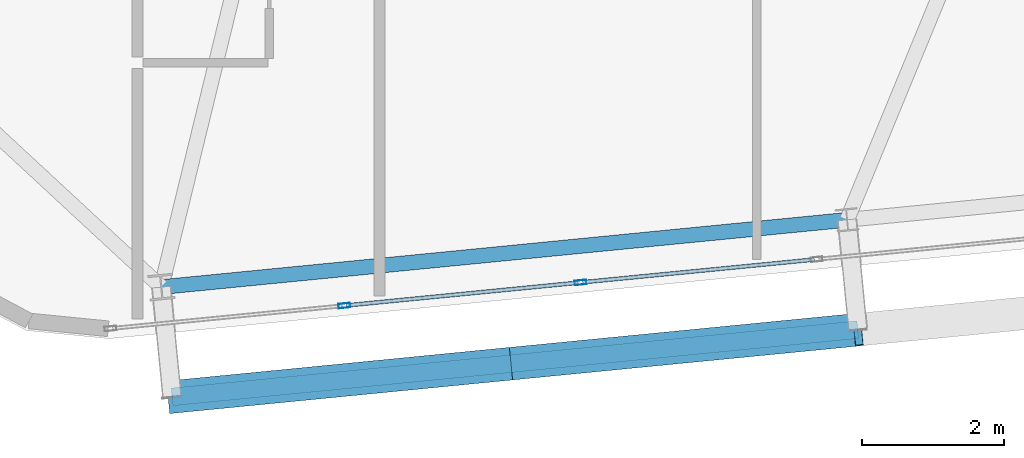
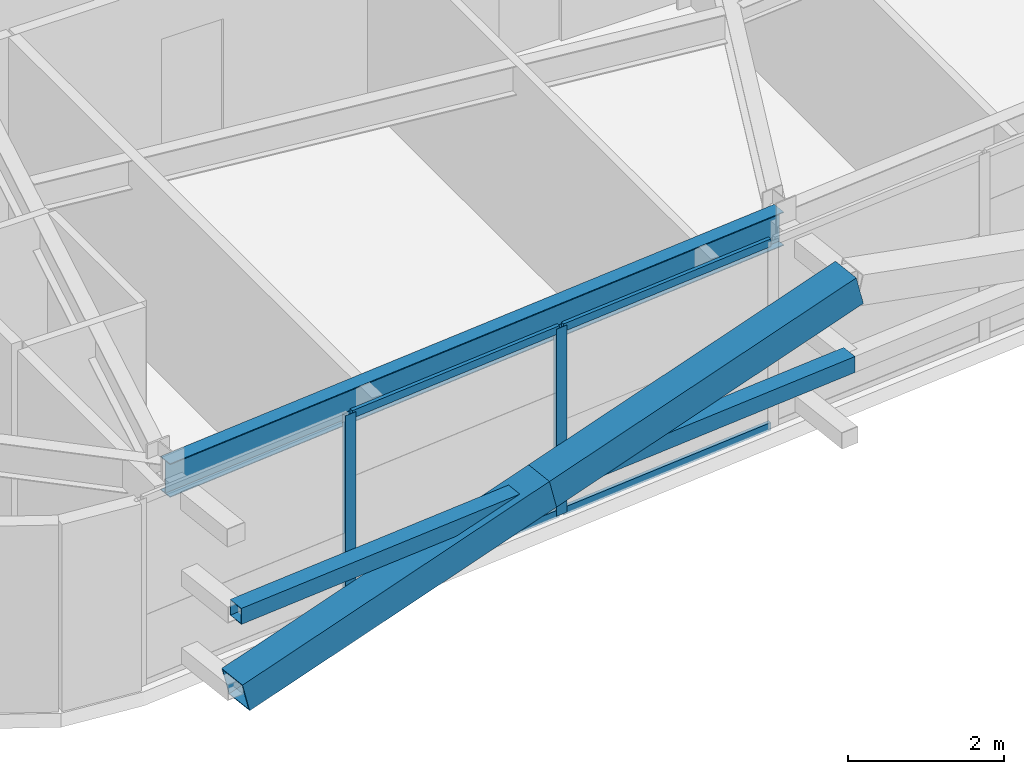
# One storey, part 6 of 54: 9 members, 1 beam, 1 element without a shape of its own.
"""IFC4 building model written with IfcOpenShell, lengths in metres."""

import ifcopenshell
import ifcopenshell.guid

model = None  # the IFC model being written
_history = None  # IfcOwnerHistory: only IFC2X3 demands one
_inside = {}  # id of a spatial element -> (the spatial element, [elements in it])
_under = {}  # id of a project, library or spatial element -> (it, [spatial elements below it])
_declared = {}  # id of a project -> (the project, [libraries it declares])
_typed = {}  # id of a type object -> (the type object, [elements of that type])
_made_of = {}  # id of a material, layer set ... -> (it, [elements and type objects made of it])


def new_model(schema):
    """Start an empty IFC model of exactly this schema.

    Asked for "IFC4X3", IfcOpenShell would pick the latest addendum, in which some entities
    have other attributes; the version numbers below select the first issue.
    IFC2X3 requires an IfcOwnerHistory on every rooted entity: one is made here for all.
    """
    global model, _history
    if schema == "IFC4X3":
        model = ifcopenshell.file(schema_version=(4, 3, 0, 0))
    else:
        model = ifcopenshell.file(schema=schema)
    _inside.clear()
    _under.clear()
    _declared.clear()
    _typed.clear()
    _made_of.clear()
    _history = None
    if model.schema == "IFC2X3":
        org = make("IfcOrganization", Name="unknown")
        user = make(
            "IfcPersonAndOrganization",
            ThePerson=make("IfcPerson", FamilyName="unknown"),
            TheOrganization=org,
        )
        app = make(
            "IfcApplication",
            ApplicationDeveloper=org,
            Version="unknown",
            ApplicationFullName="unknown",
            ApplicationIdentifier="unknown",
        )
        _history = make(
            "IfcOwnerHistory",
            OwningUser=user,
            OwningApplication=app,
            ChangeAction="ADDED",
            CreationDate=0,
        )
    return model


def make(cls, **values):
    """One entity of the class cls with the attributes given. An attribute that is None is left unset."""
    return model.create_entity(
        cls, **{name: value for name, value in values.items() if value is not None}
    )


def rooted(cls, **values):
    """An entity with a GlobalId (a new one), such as an element, a storey or a relation."""
    return make(cls, GlobalId=ifcopenshell.guid.new(), OwnerHistory=_history, **values)


def si_unit(unit_type, name, prefix=None):
    """IfcSIUnit, for example si_unit("LENGTHUNIT", "METRE", prefix="MILLI")."""
    return make("IfcSIUnit", UnitType=unit_type, Prefix=prefix, Name=name)


def assignment(units):
    """IfcUnitAssignment: the units of a project."""
    return None if units is None else make("IfcUnitAssignment", Units=units)


def point(xyz):
    """IfcCartesianPoint."""
    return None if xyz is None else make("IfcCartesianPoint", Coordinates=xyz)


def direction(xyz):
    """IfcDirection."""
    return None if xyz is None else make("IfcDirection", DirectionRatios=xyz)


def frame(location, z_axis=None, x_axis=None):
    """IfcAxis2Placement3D, a coordinate frame: its origin and axes. An axis left out is left unset."""
    return make(
        "IfcAxis2Placement3D",
        Location=point(location),
        Axis=direction(z_axis),
        RefDirection=direction(x_axis),
    )


def frame_2d(location, x_axis=None):
    """IfcAxis2Placement2D, a coordinate frame in the plane: its origin and x axis."""
    return make(
        "IfcAxis2Placement2D", Location=point(location), RefDirection=direction(x_axis)
    )


def origin():
    """The frame at (0, 0, 0) with its axes left unset."""
    return frame((0.0, 0.0, 0.0))


def origin_2d():
    """The frame at (0, 0) in the plane with its x axis left unset."""
    return frame_2d((0.0, 0.0))


def place(relative_to, where):
    """IfcLocalPlacement: puts the frame where relative to a parent placement (None: the world)."""
    return make(
        "IfcLocalPlacement", PlacementRelTo=relative_to, RelativePlacement=where
    )


def context(
    kind, dimensions, precision=None, world=None, true_north=None, identifier=None
):
    """IfcGeometricRepresentationContext, for example the 3D "Model" context."""
    return make(
        "IfcGeometricRepresentationContext",
        ContextIdentifier=identifier,
        ContextType=kind,
        CoordinateSpaceDimension=dimensions,
        Precision=precision,
        WorldCoordinateSystem=world,
        TrueNorth=true_north,
    )


def subcontext(parent, identifier, kind, view, scale=None):
    """IfcGeometricRepresentationSubContext, for example "Body" below "Model"."""
    return make(
        "IfcGeometricRepresentationSubContext",
        ContextIdentifier=identifier,
        ContextType=kind,
        ParentContext=parent,
        TargetScale=scale,
        TargetView=view,
    )


def project(units=None, contexts=None):
    """IfcProject with its units and contexts."""
    return rooted(
        "IfcProject",
        Name="project",
        RepresentationContexts=contexts,
        UnitsInContext=assignment(units),
    )


def spatial(cls, under=None, at=None, **own):
    """A site, building, storey or space (cls), placed at a placement, below another one or the project."""
    s = rooted(cls, ObjectPlacement=at, **own)
    if under is not None:
        _under.setdefault(under.id(), (under, []))[1].append(s)
    return s


def profile(cls, at=None, kind="AREA", **sizes):
    """A parametric profile (cls). Its sizes go by their IFC names, for example OverallWidth=200.0."""
    return make(cls, ProfileType=kind, Position=at, **sizes)


def hollow_rectangle(**sizes):
    """IfcRectangleHollowProfileDef."""
    return profile("IfcRectangleHollowProfileDef", **sizes)


def i_section(**sizes):
    """IfcIShapeProfileDef."""
    return profile("IfcIShapeProfileDef", **sizes)


def extrude(swept, where, along, depth):
    """IfcExtrudedAreaSolid: the profile swept, set in the frame where, extruded along a direction by depth."""
    return make(
        "IfcExtrudedAreaSolid",
        SweptArea=swept,
        Position=where,
        ExtrudedDirection=direction(along),
        Depth=depth,
    )


def shape(context_of_items, identifier, shape_type, items):
    """IfcShapeRepresentation: the items that make up one representation, for example the "Body"."""
    return make(
        "IfcShapeRepresentation",
        ContextOfItems=context_of_items,
        RepresentationIdentifier=identifier,
        RepresentationType=shape_type,
        Items=items,
    )


def source(mapping_origin, context_of_items, identifier, shape_type, items):
    """IfcRepresentationMap: a shape defined once, which mapped items show again and again."""
    return make(
        "IfcRepresentationMap",
        MappingOrigin=mapping_origin,
        MappedRepresentation=shape(context_of_items, identifier, shape_type, items),
    )


def transform(
    local_origin,
    x_axis=None,
    y_axis=None,
    z_axis=None,
    scale=None,
    scale2=None,
    scale3=None,
    uniform=True,
):
    """IfcCartesianTransformationOperator3D, or its non-uniform kind. x_axis, y_axis, z_axis: its Axis1, 2, 3."""
    if uniform:
        return make(
            "IfcCartesianTransformationOperator3D",
            Axis1=direction(x_axis),
            Axis2=direction(y_axis),
            LocalOrigin=point(local_origin),
            Scale=scale,
            Axis3=direction(z_axis),
        )
    return make(
        "IfcCartesianTransformationOperator3DnonUniform",
        Axis1=direction(x_axis),
        Axis2=direction(y_axis),
        LocalOrigin=point(local_origin),
        Scale=scale,
        Axis3=direction(z_axis),
        Scale2=scale2,
        Scale3=scale3,
    )


def mapped(mapping_source, mapping_target):
    """IfcMappedItem: shows the shape of a source again, moved by a transform."""
    return make(
        "IfcMappedItem", MappingSource=mapping_source, MappingTarget=mapping_target
    )


def material(Name=None, Category=None):
    """IfcMaterial."""
    return make("IfcMaterial", Name=Name, Category=Category)


def layer(
    of_material, thickness, ventilated=None, Name=None, Category=None, Priority=None
):
    """IfcMaterialLayer: one layer of a wall or slab, of a material (None: an air gap)."""
    return make(
        "IfcMaterialLayer",
        Material=of_material,
        LayerThickness=thickness,
        IsVentilated=ventilated,
        Name=Name,
        Category=Category,
        Priority=Priority,
    )


def layer_set(layers, Name=None):
    """IfcMaterialLayerSet."""
    return make("IfcMaterialLayerSet", MaterialLayers=layers, LayerSetName=Name)


def material_profile(
    of_material, cross_section, Name=None, Category=None, Priority=None
):
    """IfcMaterialProfile: a cross section and its material."""
    return make(
        "IfcMaterialProfile",
        Name=Name,
        Material=of_material,
        Profile=cross_section,
        Priority=Priority,
        Category=Category,
    )


def profile_set(profiles, Name=None, composite=None):
    """IfcMaterialProfileSet."""
    return make(
        "IfcMaterialProfileSet",
        Name=Name,
        MaterialProfiles=profiles,
        CompositeProfile=composite,
    )


def made_of(thing, what):
    """Note that an element or type object is made of a material, layer set ...; save() writes the relation."""
    if what is not None:
        _made_of.setdefault(what.id(), (what, []))[1].append(thing)
    return thing


def type_object(cls, material=None, **own):
    """A type object (cls), such as IfcWallType, which elements share."""
    return made_of(rooted(cls, **own), material)


def element(
    cls,
    number,
    at=None,
    inside=None,
    cuts=None,
    type_object=None,
    material=None,
    context=None,
    identifier="Body",
    shape_type=None,
    held_by="IfcProductDefinitionShape",
    body=None,
    shapes=None,
    **own,
):
    """One element of the class cls, such as IfcWall. Its Tag is "e" and its number.

    at: its placement. inside: the storey or other place that contains it. cuts: it is an
    opening in that element (IfcRelVoidsElement). A single representation is given by context,
    identifier, shape_type and body (its items); several are given by shapes. held_by: the class
    of the entity that holds the representations. save() writes the other relations.
    """
    e = rooted(cls, Tag="e%d" % number, ObjectPlacement=at, **own)
    if body is not None:
        shapes = [shape(context, identifier, shape_type, body)]
    if shapes is not None:
        e.Representation = make(held_by, Representations=shapes)
    if inside is not None:
        _inside.setdefault(inside.id(), (inside, []))[1].append(e)
    if cuts is not None:
        rooted(
            "IfcRelVoidsElement", RelatingBuildingElement=cuts, RelatedOpeningElement=e
        )
    if type_object is not None:
        _typed.setdefault(type_object.id(), (type_object, []))[1].append(e)
    return made_of(e, material)


def aggregate(whole, parts):
    """IfcRelAggregates: a whole, such as a stair, and the parts it consists of."""
    return rooted("IfcRelAggregates", RelatingObject=whole, RelatedObjects=parts)


def save(model, path):
    """Write the relations noted so far, then the file.

    IfcRelAggregates (storeys below a building ...), IfcRelContainedInSpatialStructure (elements
    in a storey), IfcRelDefinesByType, IfcRelAssociatesMaterial and IfcRelDeclares: one each for
    every whole, place, type object, material and project.
    """
    for whole, parts in _under.values():
        aggregate(whole, parts)
    for where, things in _inside.values():
        rooted(
            "IfcRelContainedInSpatialStructure",
            RelatedElements=things,
            RelatingStructure=where,
        )
    for kind, things in _typed.values():
        rooted("IfcRelDefinesByType", RelatedObjects=things, RelatingType=kind)
    for what, things in _made_of.values():
        rooted("IfcRelAssociatesMaterial", RelatedObjects=things, RelatingMaterial=what)
    for by, libraries in _declared.values():
        rooted("IfcRelDeclares", RelatingContext=by, RelatedDefinitions=libraries)
    model.write(path)


model = new_model("IFC4")

# Units and contexts
model_context = context("Model", 3, precision=1e-05, world=origin(), true_north=direction((0.0, 1.0)))
body_context = subcontext(model_context, "Body", "Model", "MODEL_VIEW")
ifc_project = project(units=[si_unit("LENGTHUNIT", "METRE"), si_unit("AREAUNIT", "SQUARE_METRE"), si_unit("VOLUMEUNIT", "CUBIC_METRE"), si_unit("PLANEANGLEUNIT", "RADIAN"), si_unit("MASSUNIT", "GRAM", prefix="KILO")], contexts=[model_context])

# Site, building, storey
site_placement = place(None, origin())
site = spatial("IfcSite", under=ifc_project, at=site_placement, CompositionType="ELEMENT")
building_placement = place(site_placement, origin())
building = spatial("IfcBuilding", under=site, at=building_placement, Name="Taldren Reach Tower", CompositionType="ELEMENT")
storey_placement = place(building_placement, frame((0.0, 0.0, 99.75)))
storey = spatial("IfcBuildingStorey", under=building, at=storey_placement, Name="L30", CompositionType="ELEMENT", Elevation=99.75)

# Beam
ifc_material_1 = material(Name="Steel Gr 350 (350PLUS)", Category="steel")
ifc_material_profile_1 = material_profile(ifc_material_1, i_section(OverallWidth=0.208984375, OverallDepth=0.528076171875, WebThickness=0.009521484375, FlangeThickness=0.01318359375, at=origin_2d()), Name="530UB82.0")
ifc_profile_set_1 = profile_set([ifc_material_profile_1], Name="Steel Gr 350 (350PLUS)")
beam_type = type_object("IfcBeamType", Name="SP-UB530B", PredefinedType="SPANDREL", material=ifc_profile_set_1)
shared_shape_1 = source(origin(), body_context, "Body", "SweptSolid", [
    extrude(i_section(OverallWidth=0.208984375, OverallDepth=0.528076171875, WebThickness=0.009521484375, FlangeThickness=0.01318359375, at=origin_2d()), origin(), (0.0, 0.0, 1.0), 9.679931640625),
])
beam_placement = place(storey_placement, frame((14.93408203125, -0.079833984375, 2.666015625), z_axis=(0.995227612658, 0.097580730699, 0.0), x_axis=(-0.097580730699, 0.995227612658, 0.0)))
element("IfcBeam", 1, at=beam_placement, inside=storey, type_object=beam_type, Name="Perimeter spandrel B2 S1-S2 L30", PredefinedType="SPANDREL", context=body_context, shape_type="MappedRepresentation", body=[
    mapped(shared_shape_1, transform((0.0, 0.0, 0.0), scale=1.0)),
])

# Members
ifc_material_2 = material(Name="Steel Gr 450 (C450L0)", Category="steel")
ifc_material_profile_2 = material_profile(ifc_material_2, hollow_rectangle(XDim=0.4599609375, YDim=0.4599609375, WallThickness=0.01611328125, at=origin_2d()), Name="460x460x16.0SHS")
ifc_profile_set_2 = profile_set([ifc_material_profile_2], Name="Steel Gr 450 (C450L0)")
member_type_1 = type_object("IfcMemberType", Name="MB-EXO457", PredefinedType="BRACE", material=ifc_profile_set_2)
shared_shape_2 = source(origin(), body_context, "Body", "SweptSolid", [
    extrude(hollow_rectangle(XDim=0.4599609375, YDim=0.4599609375, WallThickness=0.01611328125, at=origin_2d()), origin(), (0.0, 0.0, 1.0), 4.990234375),
])
for number, where, z_axis, x_axis, name in (
    (2, (15.08544921875, -1.62255859375, 0.219970703125), (0.965271056716, 0.094667992638, 0.243494883389), (-0.097605711627, 0.995225162995, 0.0), "Exoskeleton Diagrid Brace B2-S1 L30"),
    (3, (19.90234375, -1.150146484375, 1.43505859375), (0.965287024526, 0.094620633828, 0.24344998652), (-0.097555749586, 0.995230061706, 0.0), "Exoskeleton Diagrid Brace B2-S1 L30"),
):
    element("IfcMember", number, at=place(storey_placement, frame(where, z_axis=z_axis, x_axis=x_axis)), inside=storey, type_object=member_type_1, Name=name, PredefinedType="BRACE", context=body_context, shape_type="MappedRepresentation", body=[
        mapped(shared_shape_2, transform((0.0, 0.0, 0.0), scale=1.0)),
    ])
ifc_material_3 = material(Name="Steel Gr 350 (C350L0)", Category="steel")
ifc_material_profile_3 = material_profile(ifc_material_3, hollow_rectangle(XDim=0.25, YDim=0.25, WallThickness=0.010009765625, at=origin_2d()), Name="250x250x10.0SHS")
ifc_profile_set_3 = profile_set([ifc_material_profile_3], Name="Steel Gr 350 (C350L0)")
member_type_2 = type_object("IfcMemberType", Name="MB-POST250", PredefinedType="POST", material=ifc_profile_set_3)
shared_shape_3 = source(origin(), body_context, "Body", "SweptSolid", [
    extrude(hollow_rectangle(XDim=0.25, YDim=0.25, WallThickness=0.010009765625, at=origin_2d()), origin(), (0.0, 0.0, 1.0), 9.679931640625),
])
member_1_placement = place(storey_placement, frame((15.08544921875, -1.62255859375, 1.43505859375), z_axis=(0.995227612658, 0.097580730699, 0.0), x_axis=(-0.097580730699, 0.995227612658, 0.0)))
element("IfcMember", 4, at=member_1_placement, inside=storey, type_object=member_type_2, Name="Exoskeleton mid-height ring chord B2-S1 L30", PredefinedType="POST", context=body_context, shape_type="MappedRepresentation", body=[
    mapped(shared_shape_3, transform((0.0, 0.0, 0.0), scale=1.0)),
])

# Curtain wall, members
ifc_material_4 = material(Name="Aluminium and Low-E Glass Unitised System", Category="aluminium")
ifc_layer = layer(ifc_material_4, 0.159912109375)
ifc_layer_set = layer_set([ifc_layer], Name="Aluminium and Low-E Glass Unitised System")
curtain_wall_type = type_object("IfcCurtainWallType", Name="CW-SYS-3", PredefinedType="NOTDEFINED", material=ifc_layer_set)
curtain_wall_placement = place(storey_placement, origin())
curtain_wall = element("IfcCurtainWall", 5, at=curtain_wall_placement, inside=storey, type_object=curtain_wall_type, Name="Unitised curtain wall CW-L30-S", PredefinedType="NOTDEFINED")
ifc_material_5 = material(Name="Anodised Aluminium 6063-T6", Category="aluminium")
ifc_material_profile_4 = material_profile(ifc_material_5, hollow_rectangle(XDim=0.06494140625, YDim=0.1650390625, WallThickness=0.00390625, at=origin_2d()), Name="ALU-165x65x4RHS")
ifc_profile_set_4 = profile_set([ifc_material_profile_4], Name="Anodised Aluminium 6063-T6")
member_type_3 = type_object("IfcMemberType", Name="CW-MUL-165", PredefinedType="MULLION", material=ifc_profile_set_4)
shared_shape_4 = source(origin(), body_context, "Body", "SweptSolid", [
    extrude(hollow_rectangle(XDim=0.06494140625, YDim=0.1650390625, WallThickness=0.00390625, at=origin_2d()), origin(), (0.0, 0.0, 1.0), 2.929931640625),
])
member_2_placement = place(storey_placement, frame((17.505126953125, -0.34033203125, 0.0), z_axis=(0.0, 0.0, 1.0), x_axis=(-0.097582999046, 0.995227390247, 0.0)))
member_2 = element("IfcMember", 6, at=member_2_placement, type_object=member_type_3, Name="CW-3 mullion 2", PredefinedType="MULLION", context=body_context, shape_type="MappedRepresentation", body=[
    mapped(shared_shape_4, transform((0.0, 0.0, 0.0), scale=1.0)),
])
member_3_placement = place(storey_placement, frame((20.822509765625, -0.014892578125, 0.0), z_axis=(0.0, 0.0, 1.0), x_axis=(-0.097582999046, 0.995227390247, 0.0)))
member_3 = element("IfcMember", 7, at=member_3_placement, type_object=member_type_3, Name="CW-3 mullion 3", PredefinedType="MULLION", context=body_context, shape_type="MappedRepresentation", body=[
    mapped(shared_shape_4, transform((0.0, 0.0, 0.0), scale=1.0)),
])
ifc_material_profile_5 = material_profile(ifc_material_5, hollow_rectangle(XDim=0.054931640625, YDim=0.1201171875, WallThickness=0.0029296875, at=origin_2d()), Name="ALU-120x55x3RHS")
ifc_profile_set_5 = profile_set([ifc_material_profile_5], Name="Anodised Aluminium 6063-T6")
member_type_4 = type_object("IfcMemberType", Name="CW-TRN-135", PredefinedType="USERDEFINED", material=ifc_profile_set_5)
shared_shape_5 = source(origin(), body_context, "Body", "SweptSolid", [
    extrude(hollow_rectangle(XDim=0.054931640625, YDim=0.1201171875, WallThickness=0.0029296875, at=origin_2d()), origin(), (0.0, 0.0, 1.0), 3.268310546875),
])
member_4_placement = place(storey_placement, frame((17.53759765625, -0.337158203125, 0.027587890625), z_axis=(0.995222549564, 0.097632355496, 0.0), x_axis=(-0.097632355496, 0.995222549564, 0.0)))
member_4 = element("IfcMember", 8, at=member_4_placement, type_object=member_type_4, Name="CW-3 transom 2.1", ObjectType="TRANSOM", PredefinedType="USERDEFINED", context=body_context, shape_type="MappedRepresentation", body=[
    mapped(shared_shape_5, transform((0.0, 0.0, 0.0), scale=1.0)),
])
member_5_placement = place(storey_placement, frame((17.53759765625, -0.337158203125, 2.902587890625), z_axis=(0.995222549564, 0.097632355496, 0.0), x_axis=(-0.097632355496, 0.995222549564, 0.0)))
member_5 = element("IfcMember", 9, at=member_5_placement, type_object=member_type_4, Name="CW-3 transom 2.2", ObjectType="TRANSOM", PredefinedType="USERDEFINED", context=body_context, shape_type="MappedRepresentation", body=[
    mapped(shared_shape_5, transform((0.0, 0.0, 0.0), scale=1.0)),
])
member_6_placement = place(storey_placement, frame((20.85498046875, -0.01171875, 0.027587890625), z_axis=(0.99522980512, 0.097558367146, 0.0), x_axis=(-0.097558367146, 0.99522980512, 0.0)))
member_6 = element("IfcMember", 10, at=member_6_placement, type_object=member_type_4, Name="CW-3 transom 3.1", ObjectType="TRANSOM", PredefinedType="USERDEFINED", context=body_context, shape_type="MappedRepresentation", body=[
    mapped(shared_shape_5, transform((0.0, 0.0, 0.0), scale=1.0)),
])
member_7_placement = place(storey_placement, frame((20.85498046875, -0.01171875, 2.902587890625), z_axis=(0.99522980512, 0.097558367146, 0.0), x_axis=(-0.097558367146, 0.99522980512, 0.0)))
member_7 = element("IfcMember", 11, at=member_7_placement, type_object=member_type_4, Name="CW-3 transom 3.2", ObjectType="TRANSOM", PredefinedType="USERDEFINED", context=body_context, shape_type="MappedRepresentation", body=[
    mapped(shared_shape_5, transform((0.0, 0.0, 0.0), scale=1.0)),
])
aggregate(curtain_wall, [member_2, member_3, member_4, member_5, member_6, member_7])

save(model, "model.ifc")
